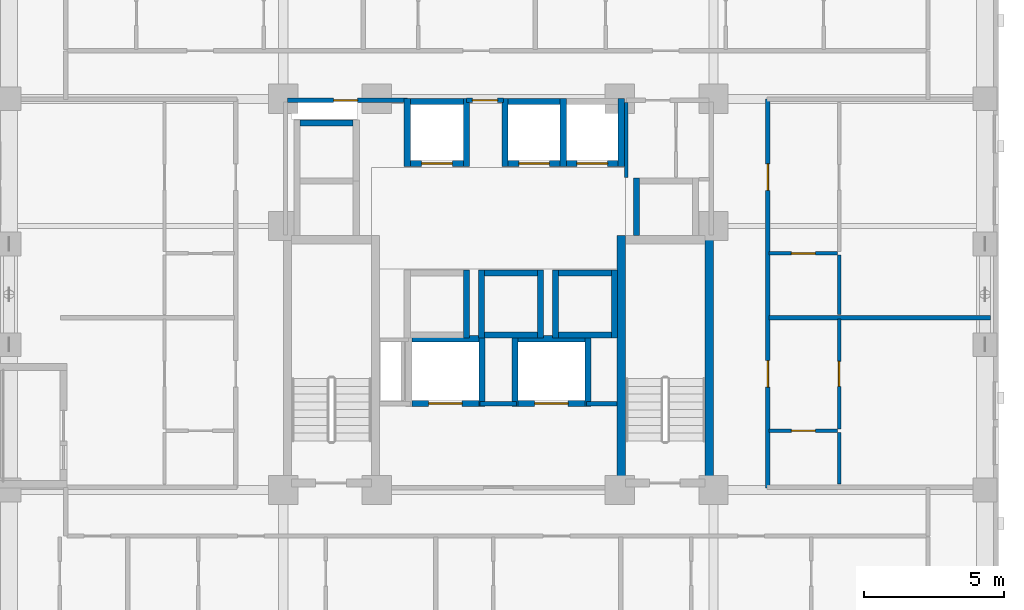
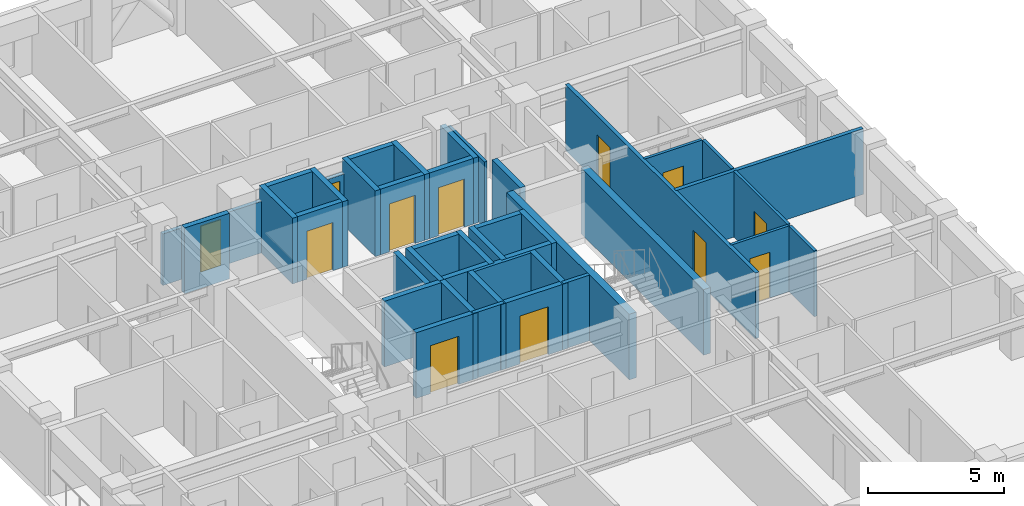
# One storey, part 5 of 12: 42 walls, 12 doors, 12 openings.
"""IFC4 building model written with IfcOpenShell, lengths in metres."""

from ifc_helpers import new_model, si_unit, derived_unit, direction, frame, frame_2d, origin, place, context, subcontext, project, spatial, rectangle, extrude, material, layer, layer_set, type_object, element, fill, save


model = new_model("IFC4")

# Units and contexts
model_context = context("Model", 3, precision=1e-05, world=origin(), true_north=direction((0.0, 1.0)))
body_context = subcontext(model_context, "Body", "Model", "MODEL_VIEW")
ifc_project = project(units=[si_unit("LENGTHUNIT", "METRE"), si_unit("AREAUNIT", "SQUARE_METRE"), si_unit("VOLUMEUNIT", "CUBIC_METRE"), si_unit("PLANEANGLEUNIT", "RADIAN"), si_unit("MASSUNIT", "GRAM", prefix="KILO"), derived_unit("THERMALTRANSMITTANCEUNIT", [(si_unit("MASSUNIT", "GRAM", prefix="KILO"), 1), (si_unit("TIMEUNIT", "SECOND"), -3), (si_unit("THERMODYNAMICTEMPERATUREUNIT", "KELVIN"), -1)])], contexts=[model_context])

# Site, building, storey
site_placement = place(None, origin())
site = spatial("IfcSite", under=ifc_project, at=site_placement, CompositionType="ELEMENT")
building_placement = place(site_placement, origin())
building = spatial("IfcBuilding", under=site, at=building_placement, Name="Korrvale Station Residences", CompositionType="ELEMENT")
storey_placement = place(building_placement, frame((0.0, 0.0, 94.300048828125)))
storey = spatial("IfcBuildingStorey", under=building, at=storey_placement, Name="L26", CompositionType="ELEMENT", Elevation=94.300048828125)

# Walls
ifc_material_1 = material(Name="Concrete C60/75", Category="concrete")
ifc_layer_1 = layer(ifc_material_1, 0.300048828125, Name="Concrete C60/75")
ifc_layer_set_1 = layer_set([ifc_layer_1], Name="Concrete C60/75")
wall_type_1 = type_object("IfcWallType", Name="WAL-CORE-300-C60", PredefinedType="SHEAR", material=ifc_layer_set_1)
for number, where, z_axis, x_axis, name in (
    (1, (29.89990234375, 15.10009765625, 0.0), (0.0, 0.0, 1.0), (0.0, 1.0, 0.0), "L26 ST-2 Core Shear Wall West"),
    (2, (33.050048828125, 15.10009765625, 0.0), (0.0, 0.0, 1.0), (0.0, 1.0, 0.0), "L26 ST-2 Core Shear Wall East"),
):
    element("IfcWall", number, at=place(storey_placement, frame(where, z_axis=z_axis, x_axis=x_axis)), inside=storey, type_object=wall_type_1, Name=name, PredefinedType="SHEAR", context=body_context, shape_type="SweptSolid", body=[
        extrude(rectangle(XDim=9.0, YDim=0.300048828125, at=frame_2d((4.5, 0.0))), origin(), (0.0, 0.0, 1.0), 2.93994140625),
    ])
ifc_material_2 = material(Name="Acoustic steel-stud gypsum board partition", Category="steel")
ifc_layer_2 = layer(ifc_material_2, 0.1201171875, Name="Acoustic steel-stud gypsum board partition")
ifc_layer_set_2 = layer_set([ifc_layer_2], Name="Acoustic steel-stud gypsum board partition")
wall_type_2 = type_object("IfcWallType", Name="WAL-PART-125", PredefinedType="PARTITIONING", material=ifc_layer_set_2)
wall_1_placement = place(storey_placement, frame((30.080078125, 26.179931640625, 0.0), z_axis=(0.0, 0.0, 1.0), x_axis=(0.0, 1.0, 0.0)))
element("IfcWall", 3, at=wall_1_placement, inside=storey, type_object=wall_type_2, Name="L26 Core Partition CW-CS-W", PredefinedType="PARTITIONING", context=body_context, shape_type="SweptSolid", body=[
    extrude(rectangle(XDim=2.68017578125, YDim=0.1201171875, at=frame_2d((1.340087890625, 0.0))), origin(), (0.0, 0.0, 1.0), 2.93994140625),
])

# Wall, opening, door
wall_2_placement = place(storey_placement, frame((35.18994140625, 17.1201171875, 0.0), z_axis=(0.0, 0.0, 1.0), x_axis=(1.0, 0.0, 0.0)))
wall_2 = element("IfcWall", 4, at=wall_2_placement, inside=storey, type_object=wall_type_2, Name="L26 Suite Partition U10-H01", PredefinedType="PARTITIONING", context=body_context, shape_type="SweptSolid", body=[
    extrude(rectangle(XDim=2.449951171875, YDim=0.1201171875, at=frame_2d((1.22509765625, 0.0))), origin(), (0.0, 0.0, 1.0), 2.93994140625),
])
opening_1_placement = place(wall_2_placement, frame((0.794921875, 0.0, 0.0)))
opening_1 = element("IfcOpeningElement", 5, at=opening_1_placement, cuts=wall_2, Name="Opening DB-860", PredefinedType="OPENING", context=body_context, shape_type="SweptSolid", body=[
    extrude(rectangle(XDim=0.860107421875, YDim=2.050048828125, at=frame_2d((0.43017578125, 1.02490234375))), frame((0.0, 0.070068359375, 0.0), z_axis=(0.0, -1.0, 0.0), x_axis=(1.0, 0.0, 0.0)), (0.0, 0.0, 1.0), 0.14013671875),
])
ifc_material_3 = material(Name="Moisture-resistant solid-core bathroom door", Category="timber")
door_type_1 = type_object("IfcDoorType", Name="DR-BATH-860", OperationType="NOTDEFINED", PredefinedType="DOOR", material=ifc_material_3)
door_1_placement = place(opening_1_placement, origin())
door_1 = element("IfcDoor", 6, at=door_1_placement, inside=storey, type_object=door_type_1, Name="L26 Apartment 1BR L26-U10 Bathroom Door", OperationType="SINGLE_SWING_LEFT", OverallHeight=2.050048828125, OverallWidth=0.860107421875, PredefinedType="DOOR", context=body_context, shape_type="SweptSolid", body=[
    extrude(rectangle(XDim=0.860107421875, YDim=2.050048828125, at=frame_2d((0.43017578125, 1.02490234375))), frame((0.0, 0.02490234375, 0.0), z_axis=(0.0, -1.0, 0.0), x_axis=(1.0, 0.0, 0.0)), (0.0, 0.0, 1.0), 0.050048828125),
])
fill(opening_1, door_1)

# Wall
wall_3_placement = place(storey_placement, frame((37.699951171875, 15.2099609375, 0.0), z_axis=(0.0, 0.0, 1.0), x_axis=(0.0, 1.0, 0.0)))
element("IfcWall", 7, at=wall_3_placement, inside=storey, type_object=wall_type_2, Name="L26 Suite Partition U10-V02", PredefinedType="PARTITIONING", context=body_context, shape_type="SweptSolid", body=[
    extrude(rectangle(XDim=1.85009765625, YDim=0.1201171875, at=frame_2d((0.925048828125, 0.0))), origin(), (0.0, 0.0, 1.0), 2.93994140625),
])

# Wall, opening, door
wall_4_placement = place(storey_placement, frame((37.699951171875, 17.179931640625, 0.0), z_axis=(0.0, 0.0, 1.0), x_axis=(0.0, 1.0, 0.0)))
wall_4 = element("IfcWall", 8, at=wall_4_placement, inside=storey, type_object=wall_type_2, Name="L26 Suite Partition U10-V12", PredefinedType="PARTITIONING", context=body_context, shape_type="SweptSolid", body=[
    extrude(rectangle(XDim=3.946044921875, YDim=0.1201171875, at=frame_2d((1.97314453125, 0.0))), origin(), (0.0, 0.0, 1.0), 2.93994140625),
])
opening_2_placement = place(wall_4_placement, frame((1.52294921875, 0.0, 0.0)))
opening_2 = element("IfcOpeningElement", 9, at=opening_2_placement, cuts=wall_4, Name="Opening DI-900", PredefinedType="OPENING", context=body_context, shape_type="SweptSolid", body=[
    extrude(rectangle(XDim=0.89990234375, YDim=2.050048828125, at=frame_2d((0.449951171875, 1.02490234375))), frame((0.0, 0.070068359375, 0.0), z_axis=(0.0, -1.0, 0.0), x_axis=(1.0, 0.0, 0.0)), (0.0, 0.0, 1.0), 0.14013671875),
])
ifc_material_4 = material(Name="Painted solid-core timber interior room door", Category="wood")
door_type_2 = type_object("IfcDoorType", Name="DR-INT-900", OperationType="NOTDEFINED", PredefinedType="DOOR", material=ifc_material_4)
door_2_placement = place(opening_2_placement, origin())
door_2 = element("IfcDoor", 10, at=door_2_placement, inside=storey, type_object=door_type_2, Name="L26 Apartment 1BR L26-U10 Kitchen Door", OperationType="SINGLE_SWING_RIGHT", OverallHeight=2.050048828125, OverallWidth=0.89990234375, PredefinedType="DOOR", context=body_context, shape_type="SweptSolid", body=[
    extrude(rectangle(XDim=0.89990234375, YDim=2.050048828125, at=frame_2d((0.449951171875, 1.02490234375))), frame((0.0, 0.02490234375, 0.0), z_axis=(0.0, -1.0, 0.0), x_axis=(1.0, 0.0, 0.0)), (0.0, 0.0, 1.0), 0.050048828125),
])
fill(opening_2, door_2)

wall_5_placement = place(storey_placement, frame((35.18994140625, 23.467041015625, 0.0), z_axis=(0.0, 0.0, 1.0), x_axis=(1.0, 0.0, 0.0)))
wall_5 = element("IfcWall", 11, at=wall_5_placement, inside=storey, type_object=wall_type_2, Name="L26 Suite Partition U11-H01", PredefinedType="PARTITIONING", context=body_context, shape_type="SweptSolid", body=[
    extrude(rectangle(XDim=2.449951171875, YDim=0.1201171875, at=frame_2d((1.22509765625, 0.0))), origin(), (0.0, 0.0, 1.0), 2.93994140625),
])
opening_3_placement = place(wall_5_placement, frame((0.794921875, 0.0, 0.0)))
opening_3 = element("IfcOpeningElement", 12, at=opening_3_placement, cuts=wall_5, Name="Opening DB-860", PredefinedType="OPENING", context=body_context, shape_type="SweptSolid", body=[
    extrude(rectangle(XDim=0.860107421875, YDim=2.050048828125, at=frame_2d((0.43017578125, 1.02490234375))), frame((0.0, 0.070068359375, 0.0), z_axis=(0.0, -1.0, 0.0), x_axis=(1.0, 0.0, 0.0)), (0.0, 0.0, 1.0), 0.14013671875),
])
door_3_placement = place(opening_3_placement, origin())
door_3 = element("IfcDoor", 13, at=door_3_placement, inside=storey, type_object=door_type_1, Name="L26 Apartment 1BR L26-U11 Bathroom Door", OperationType="SINGLE_SWING_LEFT", OverallHeight=2.050048828125, OverallWidth=0.860107421875, PredefinedType="DOOR", context=body_context, shape_type="SweptSolid", body=[
    extrude(rectangle(XDim=0.860107421875, YDim=2.050048828125, at=frame_2d((0.43017578125, 1.02490234375))), frame((0.0, 0.02490234375, 0.0), z_axis=(0.0, -1.0, 0.0), x_axis=(1.0, 0.0, 0.0)), (0.0, 0.0, 1.0), 0.050048828125),
])
fill(opening_3, door_3)

# Walls
wall_6_placement = place(storey_placement, frame((37.699951171875, 21.285888671875, 0.0), z_axis=(0.0, 0.0, 1.0), x_axis=(0.0, 1.0, 0.0)))
element("IfcWall", 14, at=wall_6_placement, inside=storey, type_object=wall_type_2, Name="L26 Suite Partition U11-V02", PredefinedType="PARTITIONING", context=body_context, shape_type="SweptSolid", body=[
    extrude(rectangle(XDim=2.12109375, YDim=0.1201171875, at=frame_2d((1.060546875, 0.0))), origin(), (0.0, 0.0, 1.0), 2.93994140625),
])
ifc_material_5 = material(Name="Fire-rated twin-stud gypsum and mineral wool shaftwall assembly", Category="gypsum")
ifc_layer_3 = layer(ifc_material_5, 0.159912109375, Name="Fire-rated twin-stud gypsum and mineral wool shaftwall assembly")
ifc_layer_set_3 = layer_set([ifc_layer_3], Name="Fire-rated twin-stud gypsum and mineral wool shaftwall assembly")
wall_type_3 = type_object("IfcWallType", Name="WAL-PART-200", PredefinedType="PARTITIONING", material=ifc_layer_set_3)
wall_7_placement = place(storey_placement, frame((24.85009765625, 18.080078125, 0.0), z_axis=(0.0, 0.0, 1.0), x_axis=(1.0, 0.0, 0.0)))
element("IfcWall", 15, at=wall_7_placement, inside=storey, type_object=wall_type_3, Name="L26 Core Partition CW-FFL-N2", PredefinedType="PARTITIONING", context=body_context, shape_type="SweptSolid", body=[
    extrude(rectangle(XDim=1.2998046875, YDim=0.159912109375, at=frame_2d((0.64990234375, 0.0))), origin(), (0.0, 0.0, 1.0), 2.93994140625),
])
wall_8_placement = place(storey_placement, frame((28.64990234375, 18.080078125, 0.0), z_axis=(0.0, 0.0, 1.0), x_axis=(1.0, 0.0, 0.0)))
element("IfcWall", 16, at=wall_8_placement, inside=storey, type_object=wall_type_3, Name="L26 Core Partition CW-FFL-N3", PredefinedType="PARTITIONING", context=body_context, shape_type="SweptSolid", body=[
    extrude(rectangle(XDim=1.10009765625, YDim=0.159912109375, at=frame_2d((0.550048828125, 0.0))), origin(), (0.0, 0.0, 1.0), 2.93994140625),
])

# Wall, opening, door
wall_9_placement = place(storey_placement, frame((24.360107421875, 28.949951171875, 0.0), z_axis=(0.0, 0.0, 1.0), x_axis=(1.0, 0.0, 0.0)))
wall_9 = element("IfcWall", 17, at=wall_9_placement, inside=storey, type_object=wall_type_3, Name="L26 Core Partition CW-LLOB-N", PredefinedType="PARTITIONING", context=body_context, shape_type="SweptSolid", body=[
    extrude(rectangle(XDim=1.31982421875, YDim=0.159912109375, at=frame_2d((0.659912109375, 0.0))), origin(), (0.0, 0.0, 1.0), 2.308837890625),
])
opening_4_placement = place(wall_9_placement, frame((0.2099609375, 0.0, 0.0)))
opening_4 = element("IfcOpeningElement", 18, at=opening_4_placement, cuts=wall_9, Name="Opening DI-900", PredefinedType="OPENING", context=body_context, shape_type="SweptSolid", body=[
    extrude(rectangle(XDim=0.89990234375, YDim=2.050048828125, at=frame_2d((0.449951171875, 1.02490234375))), frame((0.0, 0.08984375, 0.0), z_axis=(0.0, -1.0, 0.0), x_axis=(1.0, 0.0, 0.0)), (0.0, 0.0, 1.0), 0.179931640625),
])
door_4_placement = place(opening_4_placement, origin())
door_4 = element("IfcDoor", 19, at=door_4_placement, inside=storey, type_object=door_type_2, Name="L26 Central Hallway North Passage Door", OperationType="SINGLE_SWING_RIGHT", OverallHeight=2.050048828125, OverallWidth=0.89990234375, PredefinedType="DOOR", context=body_context, shape_type="SweptSolid", body=[
    extrude(rectangle(XDim=0.89990234375, YDim=2.050048828125, at=frame_2d((0.449951171875, 1.02490234375))), frame((0.0, 0.02490234375, 0.0), z_axis=(0.0, -1.0, 0.0), x_axis=(1.0, 0.0, 0.0)), (0.0, 0.0, 1.0), 0.050048828125),
])
fill(opening_4, door_4)

wall_10_placement = place(storey_placement, frame((17.9599609375, 28.949951171875, 0.0), z_axis=(0.0, 0.0, 1.0), x_axis=(1.0, 0.0, 0.0)))
wall_10 = element("IfcWall", 20, at=wall_10_placement, inside=storey, type_object=wall_type_3, Name="L26 Core Partition CW-NW", PredefinedType="PARTITIONING", context=body_context, shape_type="SweptSolid", body=[
    extrude(rectangle(XDim=4.2900390625, YDim=0.159912109375, at=frame_2d((2.14501953125, 0.0))), origin(), (0.0, 0.0, 1.0), 2.308837890625),
])
opening_5_placement = place(wall_10_placement, frame((1.64501953125, 0.0, 0.0)))
opening_5 = element("IfcOpeningElement", 21, at=opening_5_placement, cuts=wall_10, Name="Opening DB-860", PredefinedType="OPENING", context=body_context, shape_type="SweptSolid", body=[
    extrude(rectangle(XDim=0.860107421875, YDim=2.050048828125, at=frame_2d((0.43017578125, 1.02490234375))), frame((0.0, 0.08984375, 0.0), z_axis=(0.0, -1.0, 0.0), x_axis=(1.0, 0.0, 0.0)), (0.0, 0.0, 1.0), 0.179931640625),
])
door_5_placement = place(opening_5_placement, origin())
door_5 = element("IfcDoor", 22, at=door_5_placement, inside=storey, type_object=door_type_1, Name="L26 Electrical Riser Access Door", OperationType="SINGLE_SWING_LEFT", OverallHeight=2.050048828125, OverallWidth=0.860107421875, PredefinedType="DOOR", context=body_context, shape_type="SweptSolid", body=[
    extrude(rectangle(XDim=0.860107421875, YDim=2.050048828125, at=frame_2d((0.43017578125, 1.02490234375))), frame((0.0, 0.02490234375, 0.0), z_axis=(0.0, -1.0, 0.0), x_axis=(1.0, 0.0, 0.0)), (0.0, 0.0, 1.0), 0.050048828125),
])
fill(opening_5, door_5)

# Wall
wall_11_placement = place(storey_placement, frame((35.18994140625, 21.166015625, 0.0), z_axis=(0.0, 0.0, 1.0), x_axis=(1.0, 0.0, 0.0)))
element("IfcWall", 23, at=wall_11_placement, inside=storey, type_object=wall_type_3, Name="L26 Demising Wall U10-N", PredefinedType="PARTITIONING", context=body_context, shape_type="SweptSolid", body=[
    extrude(rectangle(XDim=7.93017578125, YDim=0.159912109375, at=frame_2d((3.965087890625, 0.0))), origin(), (0.0, 0.0, 1.0), 2.93994140625),
])

# Wall, openings, doors
wall_12_placement = place(storey_placement, frame((35.14990234375, 15.070068359375, 0.0), z_axis=(0.0, 0.0, 1.0), x_axis=(0.0, 1.0, 0.0)))
wall_12 = element("IfcWall", 24, at=wall_12_placement, inside=storey, type_object=wall_type_3, Name="L26 Rated Corridor Wall E", PredefinedType="PARTITIONING", context=body_context, shape_type="SweptSolid", body=[
    extrude(rectangle(XDim=13.929931640625, YDim=0.159912109375, at=frame_2d((6.96484375, 0.0))), origin(), (0.0, 0.0, 1.0), 2.93994140625),
])
opening_6_placement = place(wall_12_placement, frame((3.60791015625, 0.0, 0.0)))
opening_6 = element("IfcOpeningElement", 25, at=opening_6_placement, cuts=wall_12, Name="Opening UD-950", PredefinedType="OPENING", context=body_context, shape_type="SweptSolid", body=[
    extrude(rectangle(XDim=0.949951171875, YDim=2.10009765625, at=frame_2d((0.47509765625, 1.050048828125))), frame((0.0, 0.08984375, 0.0), z_axis=(0.0, -1.0, 0.0), x_axis=(1.0, 0.0, 0.0)), (0.0, 0.0, 1.0), 0.179931640625),
])
opening_7_placement = place(wall_12_placement, frame((10.64892578125, 0.0, 0.0)))
opening_7 = element("IfcOpeningElement", 26, at=opening_7_placement, cuts=wall_12, Name="Opening UD-950", PredefinedType="OPENING", context=body_context, shape_type="SweptSolid", body=[
    extrude(rectangle(XDim=0.949951171875, YDim=2.10009765625, at=frame_2d((0.47509765625, 1.050048828125))), frame((0.0, 0.08984375, 0.0), z_axis=(0.0, -1.0, 0.0), x_axis=(1.0, 0.0, 0.0)), (0.0, 0.0, 1.0), 0.179931640625),
])
ifc_material_6 = material(Name="Solid-core acoustic oak apartment entrance door", Category="timber")
door_type_3 = type_object("IfcDoorType", Name="DR-UNIT-950", OperationType="NOTDEFINED", PredefinedType="DOOR", material=ifc_material_6)
door_6_placement = place(opening_6_placement, origin())
door_6 = element("IfcDoor", 27, at=door_6_placement, inside=storey, type_object=door_type_3, Name="L26 Apartment L26-U10 Entrance Door", OperationType="SINGLE_SWING_RIGHT", OverallHeight=2.10009765625, OverallWidth=0.949951171875, PredefinedType="DOOR", context=body_context, shape_type="SweptSolid", body=[
    extrude(rectangle(XDim=0.949951171875, YDim=2.10009765625, at=frame_2d((0.47509765625, 1.050048828125))), frame((0.0, 0.02490234375, 0.0), z_axis=(0.0, -1.0, 0.0), x_axis=(1.0, 0.0, 0.0)), (0.0, 0.0, 1.0), 0.050048828125),
])
fill(opening_6, door_6)
door_7_placement = place(opening_7_placement, origin())
door_7 = element("IfcDoor", 28, at=door_7_placement, inside=storey, type_object=door_type_3, Name="L26 Apartment L26-U11 Entrance Door", OperationType="SINGLE_SWING_LEFT", OverallHeight=2.10009765625, OverallWidth=0.949951171875, PredefinedType="DOOR", context=body_context, shape_type="SweptSolid", body=[
    extrude(rectangle(XDim=0.949951171875, YDim=2.10009765625, at=frame_2d((0.47509765625, 1.050048828125))), frame((0.0, 0.02490234375, 0.0), z_axis=(0.0, -1.0, 0.0), x_axis=(1.0, 0.0, 0.0)), (0.0, 0.0, 1.0), 0.050048828125),
])
fill(opening_7, door_7)

# Wall, opening, door
ifc_layer_4 = layer(ifc_material_1, 0.219970703125, Name="Concrete C60/75")
ifc_layer_set_4 = layer_set([ifc_layer_4], Name="Concrete C60/75")
wall_type_4 = type_object("IfcWallType", Name="WAL-SHAFT-220-C60", PredefinedType="SHEAR", material=ifc_layer_set_4)
wall_13_placement = place(storey_placement, frame((22.35009765625, 26.68994140625, 0.0), z_axis=(0.0, 0.0, 1.0), x_axis=(1.0, 0.0, 0.0)))
wall_13 = element("IfcWall", 29, at=wall_13_placement, inside=storey, type_object=wall_type_4, Name="L26 Elevator PL-1 Hoistway Wall South", PredefinedType="SHEAR", context=body_context, shape_type="SweptSolid", body=[
    extrude(rectangle(XDim=1.89990234375, YDim=0.219970703125, at=frame_2d((0.949951171875, 0.0))), origin(), (0.0, 0.0, 1.0), 2.93994140625),
])
opening_8_placement = place(wall_13_placement, frame((0.39990234375, 0.0, 0.0)))
opening_8 = element("IfcOpeningElement", 30, at=opening_8_placement, cuts=wall_13, Name="Opening LD-1100", PredefinedType="OPENING", context=body_context, shape_type="SweptSolid", body=[
    extrude(rectangle(XDim=1.10009765625, YDim=2.14990234375, at=frame_2d((0.550048828125, 1.074951171875))), frame((0.0, 0.1201171875, 0.0), z_axis=(0.0, -1.0, 0.0), x_axis=(1.0, 0.0, 0.0)), (0.0, 0.0, 1.0), 0.239990234375),
])
ifc_material_7 = material(Name="Brushed stainless-steel elevator landing sliding door", Category="steel")
door_type_4 = type_object("IfcDoorType", Name="DR-LIFT-1100", OperationType="SLIDING_TO_LEFT", PredefinedType="DOOR", material=ifc_material_7)
door_8_placement = place(opening_8_placement, origin())
door_8 = element("IfcDoor", 31, at=door_8_placement, inside=storey, type_object=door_type_4, Name="L26 Elevator PL-1 Sliding Landing Door", OperationType="SLIDING_TO_LEFT", OverallHeight=2.14990234375, OverallWidth=1.10009765625, PredefinedType="DOOR", context=body_context, shape_type="SweptSolid", body=[
    extrude(rectangle(XDim=1.10009765625, YDim=2.14990234375, at=frame_2d((0.550048828125, 1.074951171875))), frame((0.0, 0.02490234375, 0.0), z_axis=(0.0, -1.0, 0.0), x_axis=(1.0, 0.0, 0.0)), (0.0, 0.0, 1.0), 0.050048828125),
])
fill(opening_8, door_8)

# Walls
wall_14_placement = place(storey_placement, frame((22.35009765625, 28.909912109375, 0.0), z_axis=(0.0, 0.0, 1.0), x_axis=(1.0, 0.0, 0.0)))
element("IfcWall", 32, at=wall_14_placement, inside=storey, type_object=wall_type_4, Name="L26 Elevator PL-1 Hoistway Wall North", PredefinedType="SHEAR", context=body_context, shape_type="SweptSolid", body=[
    extrude(rectangle(XDim=1.89990234375, YDim=0.219970703125, at=frame_2d((0.949951171875, 0.0))), origin(), (0.0, 0.0, 1.0), 2.93994140625),
])
for number, where, z_axis, x_axis, name in (
    (33, (22.239990234375, 26.580078125, 0.0), (0.0, 0.0, 1.0), (0.0, 1.0, 0.0), "L26 Elevator PL-1 Hoistway Wall West"),
    (34, (24.360107421875, 26.580078125, 0.0), (0.0, 0.0, 1.0), (0.0, 1.0, 0.0), "L26 Elevator PL-1 Hoistway Wall East"),
):
    element("IfcWall", number, at=place(storey_placement, frame(where, z_axis=z_axis, x_axis=x_axis)), inside=storey, type_object=wall_type_4, Name=name, PredefinedType="SHEAR", context=body_context, shape_type="SweptSolid", body=[
        extrude(rectangle(XDim=2.43994140625, YDim=0.219970703125, at=frame_2d((1.219970703125, 0.0))), origin(), (0.0, 0.0, 1.0), 2.93994140625),
    ])

# Wall, opening, door
wall_15_placement = place(storey_placement, frame((25.85009765625, 26.68994140625, 0.0), z_axis=(0.0, 0.0, 1.0), x_axis=(1.0, 0.0, 0.0)))
wall_15 = element("IfcWall", 35, at=wall_15_placement, inside=storey, type_object=wall_type_4, Name="L26 Elevator PL-2 Hoistway Wall South", PredefinedType="SHEAR", context=body_context, shape_type="SweptSolid", body=[
    extrude(rectangle(XDim=1.85986328125, YDim=0.219970703125, at=frame_2d((0.929931640625, 0.0))), origin(), (0.0, 0.0, 1.0), 2.93994140625),
])
opening_9_placement = place(wall_15_placement, frame((0.3798828125, 0.0, 0.0)))
opening_9 = element("IfcOpeningElement", 36, at=opening_9_placement, cuts=wall_15, Name="Opening LD-1100", PredefinedType="OPENING", context=body_context, shape_type="SweptSolid", body=[
    extrude(rectangle(XDim=1.10009765625, YDim=2.14990234375, at=frame_2d((0.550048828125, 1.074951171875))), frame((0.0, 0.1201171875, 0.0), z_axis=(0.0, -1.0, 0.0), x_axis=(1.0, 0.0, 0.0)), (0.0, 0.0, 1.0), 0.239990234375),
])
door_9_placement = place(opening_9_placement, origin())
door_9 = element("IfcDoor", 37, at=door_9_placement, inside=storey, type_object=door_type_4, Name="L26 Elevator PL-2 Sliding Landing Door", OperationType="SLIDING_TO_LEFT", OverallHeight=2.14990234375, OverallWidth=1.10009765625, PredefinedType="DOOR", context=body_context, shape_type="SweptSolid", body=[
    extrude(rectangle(XDim=1.10009765625, YDim=2.14990234375, at=frame_2d((0.550048828125, 1.074951171875))), frame((0.0, 0.02490234375, 0.0), z_axis=(0.0, -1.0, 0.0), x_axis=(1.0, 0.0, 0.0)), (0.0, 0.0, 1.0), 0.050048828125),
])
fill(opening_9, door_9)

# Walls
wall_16_placement = place(storey_placement, frame((25.85009765625, 28.909912109375, 0.0), z_axis=(0.0, 0.0, 1.0), x_axis=(1.0, 0.0, 0.0)))
element("IfcWall", 38, at=wall_16_placement, inside=storey, type_object=wall_type_4, Name="L26 Elevator PL-2 Hoistway Wall North", PredefinedType="SHEAR", context=body_context, shape_type="SweptSolid", body=[
    extrude(rectangle(XDim=1.85986328125, YDim=0.219970703125, at=frame_2d((0.929931640625, 0.0))), origin(), (0.0, 0.0, 1.0), 2.93994140625),
])
for number, where, z_axis, x_axis, name in (
    (39, (25.739990234375, 26.580078125, 0.0), (0.0, 0.0, 1.0), (0.0, 1.0, 0.0), "L26 Elevator PL-2 Hoistway Wall West"),
    (40, (27.820068359375, 26.580078125, 0.0), (0.0, 0.0, 1.0), (0.0, 1.0, 0.0), "L26 Elevator PL-2 Hoistway Wall East"),
):
    element("IfcWall", number, at=place(storey_placement, frame(where, z_axis=z_axis, x_axis=x_axis)), inside=storey, type_object=wall_type_4, Name=name, PredefinedType="SHEAR", context=body_context, shape_type="SweptSolid", body=[
        extrude(rectangle(XDim=2.43994140625, YDim=0.219970703125, at=frame_2d((1.219970703125, 0.0))), origin(), (0.0, 0.0, 1.0), 2.93994140625),
    ])

# Wall, opening, door
wall_17_placement = place(storey_placement, frame((27.929931640625, 26.68994140625, 0.0), z_axis=(0.0, 0.0, 1.0), x_axis=(1.0, 0.0, 0.0)))
wall_17 = element("IfcWall", 41, at=wall_17_placement, inside=storey, type_object=wall_type_4, Name="L26 Elevator PL-3 Hoistway Wall South", PredefinedType="SHEAR", context=body_context, shape_type="SweptSolid", body=[
    extrude(rectangle(XDim=1.860107421875, YDim=0.219970703125, at=frame_2d((0.93017578125, 0.0))), origin(), (0.0, 0.0, 1.0), 2.93994140625),
])
opening_10_placement = place(wall_17_placement, frame((0.3798828125, 0.0, 0.0)))
opening_10 = element("IfcOpeningElement", 42, at=opening_10_placement, cuts=wall_17, Name="Opening LD-1100", PredefinedType="OPENING", context=body_context, shape_type="SweptSolid", body=[
    extrude(rectangle(XDim=1.10009765625, YDim=2.14990234375, at=frame_2d((0.550048828125, 1.074951171875))), frame((0.0, 0.1201171875, 0.0), z_axis=(0.0, -1.0, 0.0), x_axis=(1.0, 0.0, 0.0)), (0.0, 0.0, 1.0), 0.239990234375),
])
door_10_placement = place(opening_10_placement, origin())
door_10 = element("IfcDoor", 43, at=door_10_placement, inside=storey, type_object=door_type_4, Name="L26 Elevator PL-3 Sliding Landing Door", OperationType="SLIDING_TO_LEFT", OverallHeight=2.14990234375, OverallWidth=1.10009765625, PredefinedType="DOOR", context=body_context, shape_type="SweptSolid", body=[
    extrude(rectangle(XDim=1.10009765625, YDim=2.14990234375, at=frame_2d((0.550048828125, 1.074951171875))), frame((0.0, 0.02490234375, 0.0), z_axis=(0.0, -1.0, 0.0), x_axis=(1.0, 0.0, 0.0)), (0.0, 0.0, 1.0), 0.050048828125),
])
fill(opening_10, door_10)

# Walls
wall_18_placement = place(storey_placement, frame((29.89990234375, 26.580078125, 0.0), z_axis=(0.0, 0.0, 1.0), x_axis=(0.0, 1.0, 0.0)))
element("IfcWall", 44, at=wall_18_placement, inside=storey, type_object=wall_type_4, Name="L26 Elevator PL-3 Hoistway Wall East", PredefinedType="SHEAR", context=body_context, shape_type="SweptSolid", body=[
    extrude(rectangle(XDim=2.43994140625, YDim=0.219970703125, at=frame_2d((1.219970703125, 0.0))), origin(), (0.0, 0.0, 1.0), 2.93994140625),
])
wall_19_placement = place(storey_placement, frame((24.360107421875, 20.429931640625, 0.0), z_axis=(0.0, 0.0, 1.0), x_axis=(0.0, 1.0, 0.0)))
element("IfcWall", 45, at=wall_19_placement, inside=storey, type_object=wall_type_4, Name="L26 Elevator PM-1 Hoistway Wall East", PredefinedType="SHEAR", context=body_context, shape_type="SweptSolid", body=[
    extrude(rectangle(XDim=2.440185546875, YDim=0.219970703125, at=frame_2d((1.22021484375, 0.0))), origin(), (0.0, 0.0, 1.0), 2.93994140625),
])
for number, where, z_axis, x_axis, name in (
    (46, (25.0, 20.5400390625, 0.0), (0.0, 0.0, 1.0), (1.0, 0.0, 0.0), "L26 Elevator PM-2 Hoistway Wall South"),
    (47, (25.0, 22.760009765625, 0.0), (0.0, 0.0, 1.0), (1.0, 0.0, 0.0), "L26 Elevator PM-2 Hoistway Wall North"),
):
    element("IfcWall", number, at=place(storey_placement, frame(where, z_axis=z_axis, x_axis=x_axis)), inside=storey, type_object=wall_type_4, Name=name, PredefinedType="SHEAR", context=body_context, shape_type="SweptSolid", body=[
        extrude(rectangle(XDim=1.89990234375, YDim=0.219970703125, at=frame_2d((0.949951171875, 0.0))), origin(), (0.0, 0.0, 1.0), 2.93994140625),
    ])
for number, where, z_axis, x_axis, name in (
    (48, (24.889892578125, 20.429931640625, 0.0), (0.0, 0.0, 1.0), (0.0, 1.0, 0.0), "L26 Elevator PM-2 Hoistway Wall West"),
    (49, (27.010009765625, 20.429931640625, 0.0), (0.0, 0.0, 1.0), (0.0, 1.0, 0.0), "L26 Elevator PM-2 Hoistway Wall East"),
):
    element("IfcWall", number, at=place(storey_placement, frame(where, z_axis=z_axis, x_axis=x_axis)), inside=storey, type_object=wall_type_4, Name=name, PredefinedType="SHEAR", context=body_context, shape_type="SweptSolid", body=[
        extrude(rectangle(XDim=2.440185546875, YDim=0.219970703125, at=frame_2d((1.22021484375, 0.0))), origin(), (0.0, 0.0, 1.0), 2.93994140625),
    ])
for number, where, z_axis, x_axis, name in (
    (50, (27.64990234375, 20.5400390625, 0.0), (0.0, 0.0, 1.0), (1.0, 0.0, 0.0), "L26 Elevator PM-3 Hoistway Wall South"),
    (51, (27.64990234375, 22.760009765625, 0.0), (0.0, 0.0, 1.0), (1.0, 0.0, 0.0), "L26 Elevator PM-3 Hoistway Wall North"),
):
    element("IfcWall", number, at=place(storey_placement, frame(where, z_axis=z_axis, x_axis=x_axis)), inside=storey, type_object=wall_type_4, Name=name, PredefinedType="SHEAR", context=body_context, shape_type="SweptSolid", body=[
        extrude(rectangle(XDim=1.900146484375, YDim=0.219970703125, at=frame_2d((0.9501953125, 0.0))), origin(), (0.0, 0.0, 1.0), 2.93994140625),
    ])
for number, where, z_axis, x_axis, name in (
    (52, (27.5400390625, 20.429931640625, 0.0), (0.0, 0.0, 1.0), (0.0, 1.0, 0.0), "L26 Elevator PM-3 Hoistway Wall West"),
    (53, (29.659912109375, 20.429931640625, 0.0), (0.0, 0.0, 1.0), (0.0, 1.0, 0.0), "L26 Elevator PM-3 Hoistway Wall East"),
):
    element("IfcWall", number, at=place(storey_placement, frame(where, z_axis=z_axis, x_axis=x_axis)), inside=storey, type_object=wall_type_4, Name=name, PredefinedType="SHEAR", context=body_context, shape_type="SweptSolid", body=[
        extrude(rectangle(XDim=2.440185546875, YDim=0.219970703125, at=frame_2d((1.22021484375, 0.0))), origin(), (0.0, 0.0, 1.0), 2.93994140625),
    ])
wall_20_placement = place(storey_placement, frame((18.39990234375, 28.1298828125, 0.0), z_axis=(0.0, 0.0, 1.0), x_axis=(1.0, 0.0, 0.0)))
element("IfcWall", 54, at=wall_20_placement, inside=storey, type_object=wall_type_4, Name="L26 Elevator PH-2 Hoistway Wall North", PredefinedType="SHEAR", context=body_context, shape_type="SweptSolid", body=[
    extrude(rectangle(XDim=1.900146484375, YDim=0.219970703125, at=frame_2d((0.9501953125, 0.0))), origin(), (0.0, 0.0, 1.0), 2.93994140625),
])
wall_21_placement = place(storey_placement, frame((30.43994140625, 24.10009765625, 0.0), z_axis=(0.0, 0.0, 1.0), x_axis=(0.0, 1.0, 0.0)))
element("IfcWall", 55, at=wall_21_placement, inside=storey, type_object=wall_type_4, Name="L26 Elevator PH-3 Hoistway Wall West", PredefinedType="SHEAR", context=body_context, shape_type="SweptSolid", body=[
    extrude(rectangle(XDim=2.06982421875, YDim=0.219970703125, at=frame_2d((1.034912109375, 0.0))), origin(), (0.0, 0.0, 1.0), 2.93994140625),
])

# Wall, opening, door
wall_22_placement = place(storey_placement, frame((22.39990234375, 18.090087890625, 0.0), z_axis=(0.0, 0.0, 1.0), x_axis=(1.0, 0.0, 0.0)))
wall_22 = element("IfcWall", 56, at=wall_22_placement, inside=storey, type_object=wall_type_4, Name="L26 Elevator FFL-1 Hoistway Wall South", PredefinedType="SHEAR", context=body_context, shape_type="SweptSolid", body=[
    extrude(rectangle(XDim=2.400146484375, YDim=0.219970703125, at=frame_2d((1.2001953125, 0.0))), origin(), (0.0, 0.0, 1.0), 2.93994140625),
])
opening_11_placement = place(wall_22_placement, frame((0.60009765625, 0.0, 0.0)))
opening_11 = element("IfcOpeningElement", 57, at=opening_11_placement, cuts=wall_22, Name="Opening LD-FF1200", PredefinedType="OPENING", context=body_context, shape_type="SweptSolid", body=[
    extrude(rectangle(XDim=1.199951171875, YDim=2.14990234375, at=frame_2d((0.60009765625, 1.074951171875))), frame((0.0, 0.1201171875, 0.0), z_axis=(0.0, -1.0, 0.0), x_axis=(1.0, 0.0, 0.0)), (0.0, 0.0, 1.0), 0.239990234375),
])
ifc_material_8 = material(Name="Stainless-steel firefighter elevator landing sliding door", Category="steel")
door_type_5 = type_object("IfcDoorType", Name="DR-LIFT-FF1200", OperationType="SLIDING_TO_LEFT", PredefinedType="DOOR", material=ifc_material_8)
door_11_placement = place(opening_11_placement, origin())
door_11 = element("IfcDoor", 58, at=door_11_placement, inside=storey, type_object=door_type_5, Name="L26 Elevator FFL-1 Sliding Landing Door", OperationType="SLIDING_TO_LEFT", OverallHeight=2.14990234375, OverallWidth=1.199951171875, PredefinedType="DOOR", context=body_context, shape_type="SweptSolid", body=[
    extrude(rectangle(XDim=1.199951171875, YDim=2.14990234375, at=frame_2d((0.60009765625, 1.074951171875))), frame((0.0, 0.02490234375, 0.0), z_axis=(0.0, -1.0, 0.0), x_axis=(1.0, 0.0, 0.0)), (0.0, 0.0, 1.0), 0.050048828125),
])
fill(opening_11, door_11)

# Walls
wall_23_placement = place(storey_placement, frame((22.39990234375, 20.409912109375, 0.0), z_axis=(0.0, 0.0, 1.0), x_axis=(1.0, 0.0, 0.0)))
element("IfcWall", 59, at=wall_23_placement, inside=storey, type_object=wall_type_4, Name="L26 Elevator FFL-1 Hoistway Wall North", PredefinedType="SHEAR", context=body_context, shape_type="SweptSolid", body=[
    extrude(rectangle(XDim=2.400146484375, YDim=0.219970703125, at=frame_2d((1.2001953125, 0.0))), origin(), (0.0, 0.0, 1.0), 2.93994140625),
])
wall_24_placement = place(storey_placement, frame((24.909912109375, 17.97998046875, 0.0), z_axis=(0.0, 0.0, 1.0), x_axis=(0.0, 1.0, 0.0)))
element("IfcWall", 60, at=wall_24_placement, inside=storey, type_object=wall_type_4, Name="L26 Elevator FFL-1 Hoistway Wall East", PredefinedType="SHEAR", context=body_context, shape_type="SweptSolid", body=[
    extrude(rectangle(XDim=2.5400390625, YDim=0.219970703125, at=frame_2d((1.27001953125, 0.0))), origin(), (0.0, 0.0, 1.0), 2.93994140625),
])

# Wall, opening, door
wall_25_placement = place(storey_placement, frame((26.199951171875, 18.090087890625, 0.0), z_axis=(0.0, 0.0, 1.0), x_axis=(1.0, 0.0, 0.0)))
wall_25 = element("IfcWall", 61, at=wall_25_placement, inside=storey, type_object=wall_type_4, Name="L26 Elevator FFL-2 Hoistway Wall South", PredefinedType="SHEAR", context=body_context, shape_type="SweptSolid", body=[
    extrude(rectangle(XDim=2.400146484375, YDim=0.219970703125, at=frame_2d((1.2001953125, 0.0))), origin(), (0.0, 0.0, 1.0), 2.93994140625),
])
opening_12_placement = place(wall_25_placement, frame((0.60009765625, 0.0, 0.0)))
opening_12 = element("IfcOpeningElement", 62, at=opening_12_placement, cuts=wall_25, Name="Opening LD-FF1200", PredefinedType="OPENING", context=body_context, shape_type="SweptSolid", body=[
    extrude(rectangle(XDim=1.199951171875, YDim=2.14990234375, at=frame_2d((0.60009765625, 1.074951171875))), frame((0.0, 0.1201171875, 0.0), z_axis=(0.0, -1.0, 0.0), x_axis=(1.0, 0.0, 0.0)), (0.0, 0.0, 1.0), 0.239990234375),
])
door_12_placement = place(opening_12_placement, origin())
door_12 = element("IfcDoor", 63, at=door_12_placement, inside=storey, type_object=door_type_5, Name="L26 Elevator FFL-2 Sliding Landing Door", OperationType="SLIDING_TO_LEFT", OverallHeight=2.14990234375, OverallWidth=1.199951171875, PredefinedType="DOOR", context=body_context, shape_type="SweptSolid", body=[
    extrude(rectangle(XDim=1.199951171875, YDim=2.14990234375, at=frame_2d((0.60009765625, 1.074951171875))), frame((0.0, 0.02490234375, 0.0), z_axis=(0.0, -1.0, 0.0), x_axis=(1.0, 0.0, 0.0)), (0.0, 0.0, 1.0), 0.050048828125),
])
fill(opening_12, door_12)

# Walls
wall_26_placement = place(storey_placement, frame((26.199951171875, 20.409912109375, 0.0), z_axis=(0.0, 0.0, 1.0), x_axis=(1.0, 0.0, 0.0)))
element("IfcWall", 64, at=wall_26_placement, inside=storey, type_object=wall_type_4, Name="L26 Elevator FFL-2 Hoistway Wall North", PredefinedType="SHEAR", context=body_context, shape_type="SweptSolid", body=[
    extrude(rectangle(XDim=2.400146484375, YDim=0.219970703125, at=frame_2d((1.2001953125, 0.0))), origin(), (0.0, 0.0, 1.0), 2.93994140625),
])
for number, where, z_axis, x_axis, name in (
    (65, (26.090087890625, 17.97998046875, 0.0), (0.0, 0.0, 1.0), (0.0, 1.0, 0.0), "L26 Elevator FFL-2 Hoistway Wall West"),
    (66, (28.7099609375, 17.97998046875, 0.0), (0.0, 0.0, 1.0), (0.0, 1.0, 0.0), "L26 Elevator FFL-2 Hoistway Wall East"),
):
    element("IfcWall", number, at=place(storey_placement, frame(where, z_axis=z_axis, x_axis=x_axis)), inside=storey, type_object=wall_type_4, Name=name, PredefinedType="SHEAR", context=body_context, shape_type="SweptSolid", body=[
        extrude(rectangle(XDim=2.5400390625, YDim=0.219970703125, at=frame_2d((1.27001953125, 0.0))), origin(), (0.0, 0.0, 1.0), 2.93994140625),
    ])

save(model, "model.ifc")
